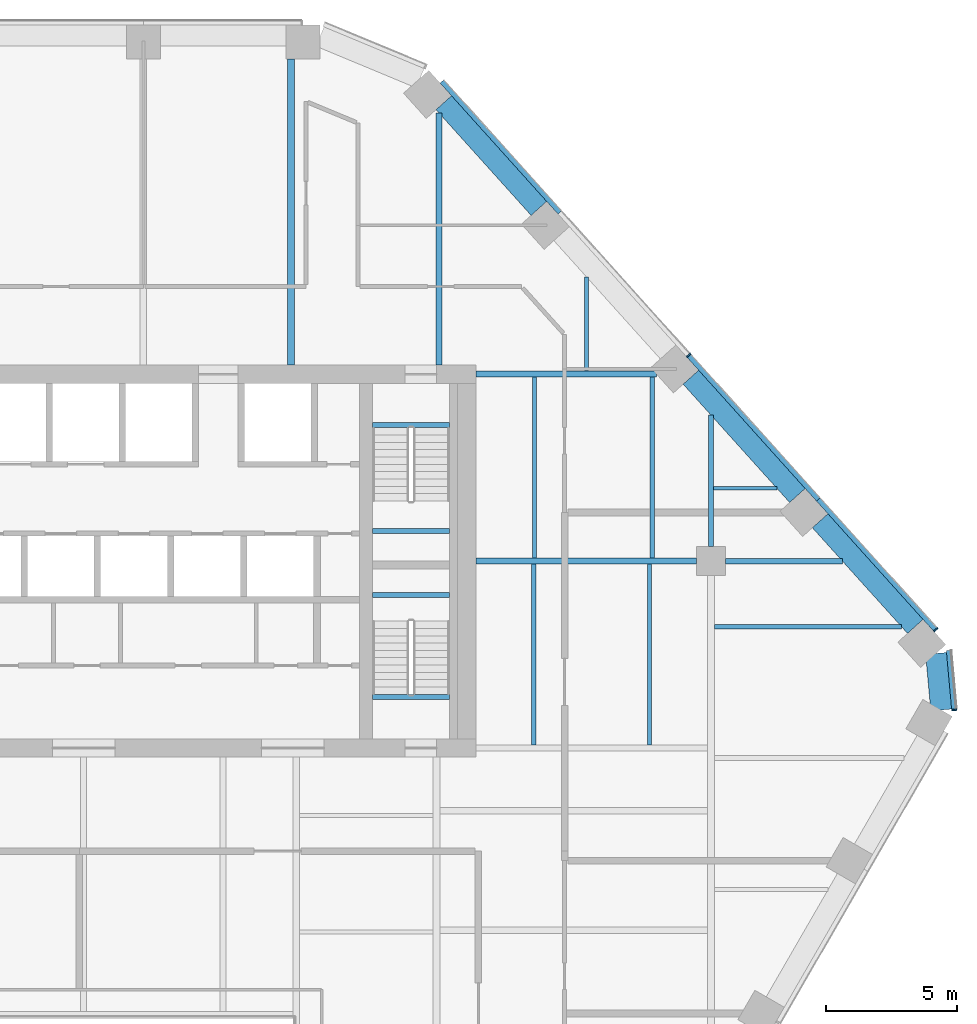
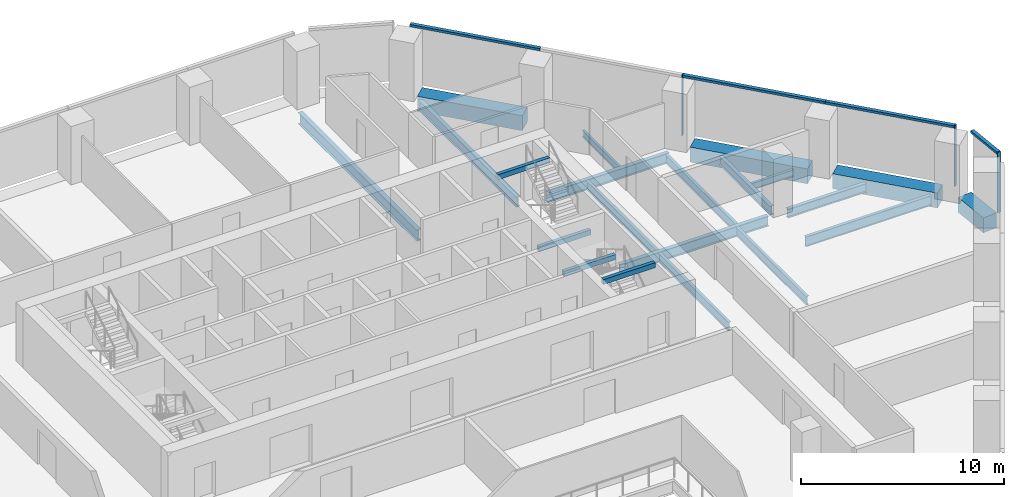
# One storey, part 8 of 16: 21 beams, 7 members, 2 elements without a shape of their own.
"""IFC4 building model written with IfcOpenShell, lengths in metres."""

from ifc_helpers import new_model, si_unit, direction, frame, origin, origin_2d, place, context, subcontext, project, spatial, rectangle, i_section, extrude, material, layer, layer_set, material_profile, profile_set, type_object, element, aggregate, save


model = new_model("IFC4")

# Units and contexts
model_context = context("Model", 3, precision=1e-05, world=origin(), true_north=direction((0.0, 1.0)))
body_context = subcontext(model_context, "Body", "Model", "MODEL_VIEW")
ifc_project = project(units=[si_unit("LENGTHUNIT", "METRE"), si_unit("AREAUNIT", "SQUARE_METRE"), si_unit("VOLUMEUNIT", "CUBIC_METRE"), si_unit("PLANEANGLEUNIT", "RADIAN"), si_unit("MASSUNIT", "GRAM", prefix="KILO")], contexts=[model_context])

# Site, building, storey
site_placement = place(None, origin())
site = spatial("IfcSite", under=ifc_project, at=site_placement, CompositionType="ELEMENT")
building_placement = place(site_placement, origin())
building = spatial("IfcBuilding", under=site, at=building_placement, Name="Isthmus Gate Tower", CompositionType="ELEMENT")
storey_placement = place(building_placement, frame((0.0, 0.0, 192.699951171875)))
storey = spatial("IfcBuildingStorey", under=building, at=storey_placement, Name="L48", CompositionType="ELEMENT", Elevation=192.699951171875)

# Curtain wall, member
ifc_material_1 = material(Name="Aluminium, pale champagne anodised", Category="aluminium")
ifc_layer = layer(ifc_material_1, 0.199951171875)
ifc_layer_set = layer_set([ifc_layer], Name="CW-1 UNITISED CURTAIN WALL 200 DEEP")
curtain_wall_type = type_object("IfcCurtainWallType", Name="CW-1 UNITISED CURTAIN WALL 200 DEEP", PredefinedType="NOTDEFINED", material=ifc_layer_set)
curtain_wall_1_placement = place(storey_placement, origin())
curtain_wall_1 = element("IfcCurtainWall", 1, at=curtain_wall_1_placement, inside=storey, type_object=curtain_wall_type, Name="CW-1 SE-NE L48", PredefinedType="NOTDEFINED")
ifc_material_2 = material(Name="Aluminium, pale champagne anodised", Category="aluminium")
ifc_material_profile_1 = material_profile(ifc_material_2, rectangle(XDim=0.06005859375, YDim=0.199951171875, at=origin_2d()), Name="60x200")
ifc_profile_set_1 = profile_set([ifc_material_profile_1], Name="Aluminium, pale champagne anodised")
member_type_1 = type_object("IfcMemberType", Name="CW-1 MULLION 60 X 200", PredefinedType="MULLION", material=ifc_profile_set_1)
member_1_placement = place(storey_placement, frame((33.307861328125, 1.804443359375, 0.0), z_axis=(0.0, 0.0, 1.0), x_axis=(-0.089396669717, 0.995996102123, 0.0)))
member_1 = element("IfcMember", 2, at=member_1_placement, type_object=member_type_1, Name="CW-1 mullion", PredefinedType="MULLION", context=body_context, shape_type="SweptSolid", body=[
    extrude(rectangle(XDim=0.06005859375, YDim=0.199951171875, at=origin_2d()), origin(), (0.0, 0.0, 1.0), 3.650146484375),
])

# Curtain wall, members
curtain_wall_2_placement = place(storey_placement, origin())
curtain_wall_2 = element("IfcCurtainWall", 3, at=curtain_wall_2_placement, inside=storey, type_object=curtain_wall_type, Name="CW-1 NE L48", PredefinedType="NOTDEFINED")
member_2_placement = place(storey_placement, frame((32.602783203125, 4.871337890625, 0.0), z_axis=(0.0, 0.0, 1.0), x_axis=(-0.669130606359, 0.743144825477, 0.0)))
member_2 = element("IfcMember", 4, at=member_2_placement, type_object=member_type_1, Name="CW-1 mullion", PredefinedType="MULLION", context=body_context, shape_type="SweptSolid", body=[
    extrude(rectangle(XDim=0.06005859375, YDim=0.199951171875, at=origin_2d()), origin(), (0.0, 0.0, 1.0), 3.650146484375),
])
member_3_placement = place(storey_placement, frame((23.14697265625, 15.373046875, 0.0), z_axis=(0.0, 0.0, 1.0), x_axis=(-0.669130606359, 0.743144825477, 0.0)))
member_3 = element("IfcMember", 5, at=member_3_placement, type_object=member_type_1, Name="CW-1 mullion", PredefinedType="MULLION", context=body_context, shape_type="SweptSolid", body=[
    extrude(rectangle(XDim=0.06005859375, YDim=0.199951171875, at=origin_2d()), origin(), (0.0, 0.0, 1.0), 3.650146484375),
])

# Member
ifc_material_3 = material(Name="Aluminium, pale champagne anodised", Category="aluminium")
ifc_material_profile_2 = material_profile(ifc_material_3, rectangle(XDim=0.199951171875, YDim=0.139892578125, at=origin_2d()), Name="200x140")
ifc_profile_set_2 = profile_set([ifc_material_profile_2], Name="Aluminium, pale champagne anodised")
member_type_2 = type_object("IfcMemberType", Name="CW-1 TRANSOM 200 X 140", PredefinedType="USERDEFINED", material=ifc_profile_set_2)
member_4_placement = place(storey_placement, frame((33.30517578125, 1.83447265625, 3.580078125), z_axis=(-0.089395362867, 0.995996219419, 0.0), x_axis=(-0.995996219419, -0.089395362867, 0.0)))
member_4 = element("IfcMember", 6, at=member_4_placement, type_object=member_type_2, Name="CW-1 transom", ObjectType="TRANSOM", PredefinedType="USERDEFINED", context=body_context, shape_type="SweptSolid", body=[
    extrude(rectangle(XDim=0.199951171875, YDim=0.139892578125, at=origin_2d()), origin(), (0.0, 0.0, 1.0), 2.258544921875),
])

aggregate(curtain_wall_1, [member_1, member_4])

member_5_placement = place(storey_placement, frame((32.582763671875, 4.8935546875, 3.580078125), z_axis=(-0.669138342957, 0.74313785934, 0.0), x_axis=(-0.74313785934, -0.669138342957, 0.0)))
member_5 = element("IfcMember", 7, at=member_5_placement, type_object=member_type_2, Name="CW-1 transom", ObjectType="TRANSOM", PredefinedType="USERDEFINED", context=body_context, shape_type="SweptSolid", body=[
    extrude(rectangle(XDim=0.199951171875, YDim=0.139892578125, at=origin_2d()), origin(), (0.0, 0.0, 1.0), 6.680908203125),
])

member_6_placement = place(storey_placement, frame((28.1123046875, 9.8583984375, 3.580078125), z_axis=(-0.669123495435, 0.74315122812, 0.0), x_axis=(-0.74315122812, -0.669123495435, 0.0)))
member_6 = element("IfcMember", 8, at=member_6_placement, type_object=member_type_2, Name="CW-1 transom", ObjectType="TRANSOM", PredefinedType="USERDEFINED", context=body_context, shape_type="SweptSolid", body=[
    extrude(rectangle(XDim=0.199951171875, YDim=0.139892578125, at=origin_2d()), origin(), (0.0, 0.0, 1.0), 7.390625),
])

member_7_placement = place(storey_placement, frame((18.221435546875, 20.84326171875, 3.580078125), z_axis=(-0.669102791064, 0.743169869538, 0.0), x_axis=(-0.743169869538, -0.669102791064, 0.0)))
member_7 = element("IfcMember", 9, at=member_7_placement, type_object=member_type_2, Name="CW-1 transom", ObjectType="TRANSOM", PredefinedType="USERDEFINED", context=body_context, shape_type="SweptSolid", body=[
    extrude(rectangle(XDim=0.199951171875, YDim=0.139892578125, at=origin_2d()), origin(), (0.0, 0.0, 1.0), 6.74072265625),
])

aggregate(curtain_wall_2, [member_2, member_5, member_6, member_3, member_7])

# Beams
ifc_material_4 = material(Name="Concrete f'c 60 MPa", Category="concrete")
ifc_material_profile_3 = material_profile(ifc_material_4, rectangle(XDim=0.800048828125, YDim=0.89990234375, at=origin_2d()), Name="RC 800X900")
ifc_profile_set_3 = profile_set([ifc_material_profile_3], Name="Concrete f'c 60 MPa")
beam_type_1 = type_object("IfcBeamType", Name="RC SPANDREL 800 X 900", PredefinedType="SPANDREL", material=ifc_profile_set_3)
beam_1_placement = place(storey_placement, frame((13.7744140625, 25.03515625, -0.449951171875), z_axis=(0.669118419563, -0.743155798337, 0.0), x_axis=(0.743155798337, 0.669118419563, 0.0)))
element("IfcBeam", 10, at=beam_1_placement, inside=storey, type_object=beam_type_1, Name="str-spandrel-L48-01", PredefinedType="SPANDREL", context=body_context, shape_type="SweptSolid", body=[
    extrude(rectangle(XDim=0.800048828125, YDim=0.89990234375, at=origin_2d()), origin(), (0.0, 0.0, 1.0), 5.44091796875),
])
beam_2_placement = place(storey_placement, frame((23.230224609375, 14.533203125, -0.449951171875), z_axis=(0.669141874065, -0.743134679835, 0.0), x_axis=(0.743134679835, 0.669141874065, 0.0)))
element("IfcBeam", 11, at=beam_2_placement, inside=storey, type_object=beam_type_1, Name="str-spandrel-L48-03", PredefinedType="SPANDREL", context=body_context, shape_type="SweptSolid", body=[
    extrude(rectangle(XDim=0.800048828125, YDim=0.89990234375, at=origin_2d()), origin(), (0.0, 0.0, 1.0), 6.0908203125),
])
beam_3_placement = place(storey_placement, frame((28.17578125, 9.040771484375, -0.449951171875), z_axis=(0.669140732593, -0.74313570765, 0.0), x_axis=(0.74313570765, 0.669140732593, 0.0)))
element("IfcBeam", 12, at=beam_3_placement, inside=storey, type_object=beam_type_1, Name="str-spandrel-L48-04", PredefinedType="SPANDREL", context=body_context, shape_type="SweptSolid", body=[
    extrude(rectangle(XDim=0.800048828125, YDim=0.89990234375, at=origin_2d()), origin(), (0.0, 0.0, 1.0), 5.440673828125),
])
beam_4_placement = place(storey_placement, frame((32.61181640625, 3.964599609375, -0.449951171875), z_axis=(0.089421511639, -0.995993872098, 0.0), x_axis=(0.995993872098, 0.089421511639, 0.0)))
element("IfcBeam", 13, at=beam_4_placement, inside=storey, type_object=beam_type_1, Name="str-spandrel-L48-05", PredefinedType="SPANDREL", context=body_context, shape_type="SweptSolid", body=[
    extrude(rectangle(XDim=0.800048828125, YDim=0.89990234375, at=origin_2d()), origin(), (0.0, 0.0, 1.0), 2.17333984375),
])
ifc_material_5 = material(Name="Concrete f'c 40 MPa", Category="concrete")
ifc_material_profile_4 = material_profile(ifc_material_5, rectangle(XDim=0.199951171875, YDim=0.300048828125, at=origin_2d()), Name="STAIR LANDING BEAM RC 200 X 300")
ifc_profile_set_4 = profile_set([ifc_material_profile_4], Name="Concrete f'c 40 MPa")
beam_type_2 = type_object("IfcBeamType", Name="STAIR LANDING BEAM RC 200 X 300", PredefinedType="BEAM", material=ifc_profile_set_4)
for number, where, z_axis, x_axis, name in (
    (14, (11.050048828125, 8.64990234375, 1.47509765625), (1.0, 0.0, 0.0), (0.0, 1.0, 0.0), "L48 ST2 landing beam 1"),
    (15, (11.050048828125, 12.7001953125, 3.35009765625), (1.0, 0.0, 0.0), (0.0, 1.0, 0.0), "L48 ST2 floor-edge seat beam"),
    (16, (11.050048828125, 6.199951171875, 1.47509765625), (1.0, 0.0, 0.0), (0.0, 1.0, 0.0), "L48 ST8 landing beam 1"),
    (17, (11.050048828125, 2.2998046875, 3.35009765625), (1.0, 0.0, 0.0), (0.0, 1.0, 0.0), "L48 ST8 floor-edge seat beam"),
):
    element("IfcBeam", number, at=place(storey_placement, frame(where, z_axis=z_axis, x_axis=x_axis)), inside=storey, type_object=beam_type_2, Name=name, PredefinedType="BEAM", context=body_context, shape_type="SweptSolid", body=[
        extrude(rectangle(XDim=0.199951171875, YDim=0.300048828125, at=origin_2d()), origin(), (0.0, 0.0, 1.0), 2.949951171875),
    ])
ifc_material_6 = material(Name="Structural steel ASTM A992 Gr 50", Category="steel")
ifc_material_profile_5 = material_profile(ifc_material_6, i_section(OverallWidth=0.1396484375, OverallDepth=0.4033203125, WebThickness=0.00634765625, FlangeThickness=0.010986328125, at=origin_2d()), Name="W16X31")
ifc_profile_set_5 = profile_set([ifc_material_profile_5], Name="Structural steel ASTM A992 Gr 50")
beam_type_3 = type_object("IfcBeamType", Name="STEEL FLOOR BEAM W16X31", PredefinedType="JOIST", material=ifc_profile_set_5)
beam_5_placement = place(storey_placement, frame((19.23681640625, 14.764404296875, -0.3515625), z_axis=(0.0, 1.0, 0.0), x_axis=(-1.0, 0.0, 0.0)))
element("IfcBeam", 18, at=beam_5_placement, inside=storey, type_object=beam_type_3, Name="str-beam-L48-05-07", PredefinedType="JOIST", context=body_context, shape_type="SweptSolid", body=[
    extrude(i_section(OverallWidth=0.1396484375, OverallDepth=0.4033203125, WebThickness=0.00634765625, FlangeThickness=0.010986328125, at=origin_2d()), origin(), (0.0, 0.0, 1.0), 3.6064453125),
])
beam_6_placement = place(storey_placement, frame((24.104736328125, 10.284423828125, -0.3515625), z_axis=(1.0, 0.0, 0.0), x_axis=(0.0, 1.0, 0.0)))
element("IfcBeam", 19, at=beam_6_placement, inside=storey, type_object=beam_type_3, Name="str-beam-L48-15-00", PredefinedType="JOIST", context=body_context, shape_type="SweptSolid", body=[
    extrude(i_section(OverallWidth=0.1396484375, OverallDepth=0.4033203125, WebThickness=0.00634765625, FlangeThickness=0.010986328125, at=origin_2d()), origin(), (0.0, 0.0, 1.0), 2.412841796875),
])
ifc_material_7 = material(Name="Structural steel ASTM A992 Gr 50", Category="steel")
ifc_material_profile_6 = material_profile(ifc_material_7, i_section(OverallWidth=0.1650390625, OverallDepth=0.52392578125, WebThickness=0.009521484375, FlangeThickness=0.010986328125, at=origin_2d()), Name="W21X44")
ifc_profile_set_6 = profile_set([ifc_material_profile_6], Name="Structural steel ASTM A992 Gr 50")
beam_type_4 = type_object("IfcBeamType", Name="STEEL FLOOR BEAM W21X44", PredefinedType="JOIST", material=ifc_profile_set_6)
for number, where, z_axis, x_axis, name in (
    (20, (17.25, 7.6142578125, -0.411865234375), (0.0, 1.0, 0.0), (-1.0, 0.0, 0.0), "str-beam-L48-13-00"),
    (21, (21.75, 7.6142578125, -0.411865234375), (0.0, 1.0, 0.0), (-1.0, 0.0, 0.0), "str-beam-L48-13-01"),
    (22, (17.216552734375, 0.46435546875, -0.411865234375), (0.0, 1.0, 0.0), (-1.0, 0.0, 0.0), "str-beam-L48-14-00"),
    (23, (21.64990234375, 0.46435546875, -0.411865234375), (0.0, 1.0, 0.0), (-1.0, 0.0, 0.0), "str-beam-L48-14-01"),
):
    element("IfcBeam", number, at=place(storey_placement, frame(where, z_axis=z_axis, x_axis=x_axis)), inside=storey, type_object=beam_type_4, Name=name, PredefinedType="JOIST", context=body_context, shape_type="SweptSolid", body=[
        extrude(i_section(OverallWidth=0.1650390625, OverallDepth=0.52392578125, WebThickness=0.009521484375, FlangeThickness=0.010986328125, at=origin_2d()), origin(), (0.0, 0.0, 1.0), 6.92138671875),
    ])
ifc_material_8 = material(Name="Structural steel ASTM A992 Gr 50", Category="steel")
ifc_material_profile_7 = material_profile(ifc_material_8, i_section(OverallWidth=0.177734375, OverallDepth=0.60009765625, WebThickness=0.009521484375, FlangeThickness=0.0126953125, at=origin_2d()), Name="W24X55")
ifc_profile_set_7 = profile_set([ifc_material_profile_7], Name="Structural steel ASTM A992 Gr 50")
beam_type_5 = type_object("IfcBeamType", Name="STEEL FLOOR BEAM W24X55", PredefinedType="JOIST", material=ifc_profile_set_7)
beam_7_placement = place(storey_placement, frame((24.13330078125, 4.987548828125, -0.449951171875), z_axis=(1.0, 0.0, 0.0), x_axis=(0.0, 1.0, 0.0)))
element("IfcBeam", 24, at=beam_7_placement, inside=storey, type_object=beam_type_5, Name="str-beam-L48-16-02", PredefinedType="JOIST", context=body_context, shape_type="SweptSolid", body=[
    extrude(i_section(OverallWidth=0.177734375, OverallDepth=0.60009765625, WebThickness=0.009521484375, FlangeThickness=0.0126953125, at=origin_2d()), origin(), (0.0, 0.0, 1.0), 7.15380859375),
])
ifc_material_9 = material(Name="Structural steel ASTM A992 Gr 50", Category="steel")
ifc_material_profile_8 = material_profile(ifc_material_9, i_section(OverallWidth=0.228515625, OverallDepth=0.603271484375, WebThickness=0.010986328125, FlangeThickness=0.014404296875, at=origin_2d()), Name="W24X68")
ifc_profile_set_8 = profile_set([ifc_material_profile_8], Name="Structural steel ASTM A992 Gr 50")
beam_type_6 = type_object("IfcBeamType", Name="STEEL FLOOR BEAM W24X68", PredefinedType="JOIST", material=ifc_profile_set_8)
beam_8_placement = place(storey_placement, frame((13.583984375, 15.0, -0.45166015625), z_axis=(0.0, 1.0, 0.0), x_axis=(-1.0, 0.0, 0.0)))
element("IfcBeam", 25, at=beam_8_placement, inside=storey, type_object=beam_type_6, Name="str-beam-L48-05-06", PredefinedType="JOIST", context=body_context, shape_type="SweptSolid", body=[
    extrude(i_section(OverallWidth=0.228515625, OverallDepth=0.603271484375, WebThickness=0.010986328125, FlangeThickness=0.014404296875, at=origin_2d()), origin(), (0.0, 0.0, 1.0), 9.648681640625),
])
ifc_material_10 = material(Name="Structural steel ASTM A992 Gr 50", Category="steel")
ifc_material_profile_9 = material_profile(ifc_material_10, i_section(OverallWidth=0.25390625, OverallDepth=0.679443359375, WebThickness=0.010986328125, FlangeThickness=0.015869140625, at=origin_2d()), Name="W27X84")
ifc_profile_set_9 = profile_set([ifc_material_profile_9], Name="Structural steel ASTM A992 Gr 50")
beam_type_7 = type_object("IfcBeamType", Name="STEEL FLOOR BEAM W27X84", PredefinedType="JOIST", material=ifc_profile_set_9)
beam_9_placement = place(storey_placement, frame((7.93115234375, 15.0, -0.48974609375), z_axis=(0.0, 1.0, 0.0), x_axis=(-1.0, 0.0, 0.0)))
element("IfcBeam", 26, at=beam_9_placement, inside=storey, type_object=beam_type_7, Name="str-beam-L48-05-05", PredefinedType="JOIST", context=body_context, shape_type="SweptSolid", body=[
    extrude(i_section(OverallWidth=0.25390625, OverallDepth=0.679443359375, WebThickness=0.010986328125, FlangeThickness=0.015869140625, at=origin_2d()), origin(), (0.0, 0.0, 1.0), 11.699951171875),
])
ifc_material_11 = material(Name="Structural steel ASTM A992 Gr 50", Category="steel")
ifc_material_profile_10 = material_profile(ifc_material_11, i_section(OverallWidth=0.20947265625, OverallDepth=0.533447265625, WebThickness=0.009521484375, FlangeThickness=0.015869140625, at=origin_2d()), Name="W21X62")
ifc_profile_set_10 = profile_set([ifc_material_profile_10], Name="Structural steel ASTM A992 Gr 50")
beam_type_8 = type_object("IfcBeamType", Name="STEEL GIRDER W21X62", PredefinedType="BEAM", material=ifc_profile_set_10)
beam_10_placement = place(storey_placement, frame((24.550048828125, 7.5, -0.416748046875), z_axis=(1.0, 0.0, 0.0), x_axis=(0.0, 1.0, 0.0)))
element("IfcBeam", 27, at=beam_10_placement, inside=storey, type_object=beam_type_8, Name="str-girder-L48-06", PredefinedType="BEAM", context=body_context, shape_type="SweptSolid", body=[
    extrude(i_section(OverallWidth=0.20947265625, OverallDepth=0.533447265625, WebThickness=0.009521484375, FlangeThickness=0.015869140625, at=origin_2d()), origin(), (0.0, 0.0, 1.0), 4.474853515625),
])
beam_11_placement = place(storey_placement, frame((24.0, 8.050048828125, -0.416748046875), z_axis=(0.0, 1.0, 0.0), x_axis=(-1.0, 0.0, 0.0)))
element("IfcBeam", 28, at=beam_11_placement, inside=storey, type_object=beam_type_8, Name="str-girder-L48-12", PredefinedType="BEAM", context=body_context, shape_type="SweptSolid", body=[
    extrude(i_section(OverallWidth=0.20947265625, OverallDepth=0.533447265625, WebThickness=0.009521484375, FlangeThickness=0.015869140625, at=origin_2d()), origin(), (0.0, 0.0, 1.0), 5.030517578125),
])
ifc_material_12 = material(Name="Structural steel ASTM A992 Gr 50", Category="steel")
ifc_material_profile_11 = material_profile(ifc_material_12, i_section(OverallWidth=0.228515625, OverallDepth=0.603271484375, WebThickness=0.010986328125, FlangeThickness=0.014404296875, at=origin_2d()), Name="W24X68")
ifc_profile_set_11 = profile_set([ifc_material_profile_11], Name="Structural steel ASTM A992 Gr 50")
beam_type_9 = type_object("IfcBeamType", Name="STEEL GIRDER W24X68", PredefinedType="BEAM", material=ifc_profile_set_11)
beam_12_placement = place(storey_placement, frame((15.0, 14.64990234375, -0.45166015625), z_axis=(1.0, 0.0, 0.0), x_axis=(0.0, 1.0, 0.0)))
element("IfcBeam", 29, at=beam_12_placement, inside=storey, type_object=beam_type_9, Name="str-girder-L48-16", PredefinedType="BEAM", context=body_context, shape_type="SweptSolid", body=[
    extrude(i_section(OverallWidth=0.228515625, OverallDepth=0.603271484375, WebThickness=0.010986328125, FlangeThickness=0.014404296875, at=origin_2d()), origin(), (0.0, 0.0, 1.0), 6.9140625),
])
ifc_material_13 = material(Name="Structural steel ASTM A992 Gr 50", Category="steel")
ifc_material_profile_12 = material_profile(ifc_material_13, i_section(OverallWidth=0.228515625, OverallDepth=0.6064453125, WebThickness=0.010986328125, FlangeThickness=0.017578125, at=origin_2d()), Name="W24X76")
ifc_profile_set_12 = profile_set([ifc_material_profile_12], Name="Structural steel ASTM A992 Gr 50")
beam_type_10 = type_object("IfcBeamType", Name="STEEL GIRDER W24X76", PredefinedType="BEAM", material=ifc_profile_set_12)
beam_13_placement = place(storey_placement, frame((15.0, 7.5, -0.453125), z_axis=(1.0, 0.0, 0.0), x_axis=(0.0, 1.0, 0.0)))
element("IfcBeam", 30, at=beam_13_placement, inside=storey, type_object=beam_type_10, Name="str-girder-L48-05", PredefinedType="BEAM", context=body_context, shape_type="SweptSolid", body=[
    extrude(i_section(OverallWidth=0.228515625, OverallDepth=0.6064453125, WebThickness=0.010986328125, FlangeThickness=0.017578125, at=origin_2d()), origin(), (0.0, 0.0, 1.0), 8.449951171875),
])

save(model, "model.ifc")
